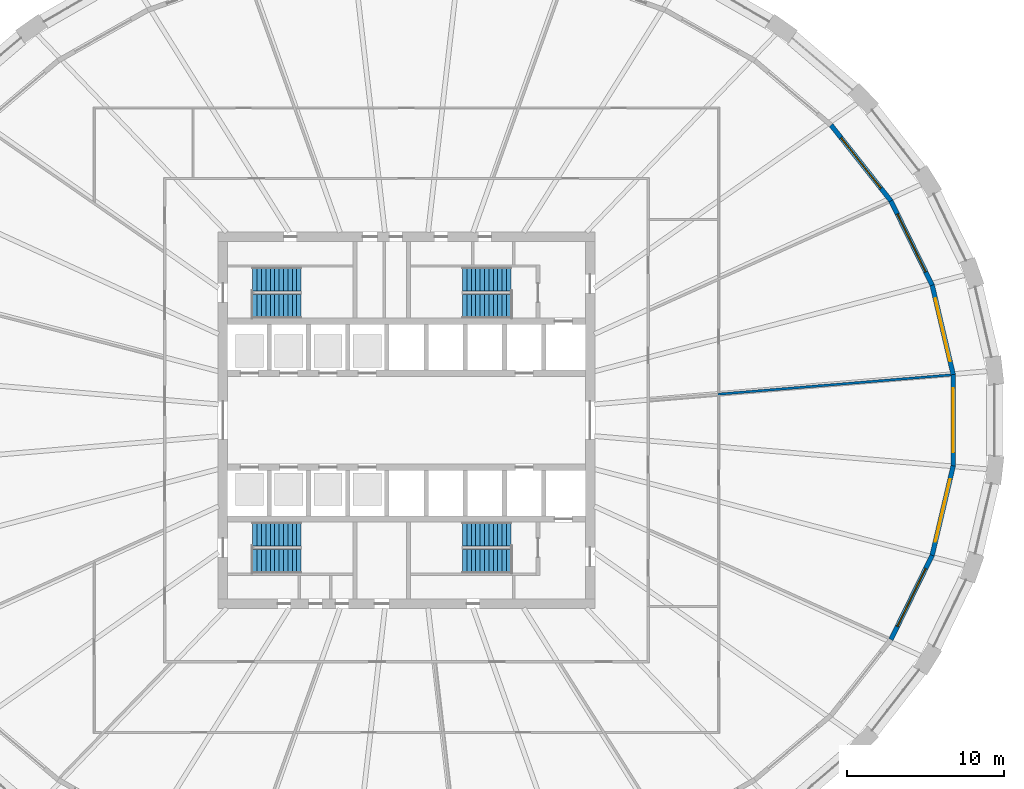
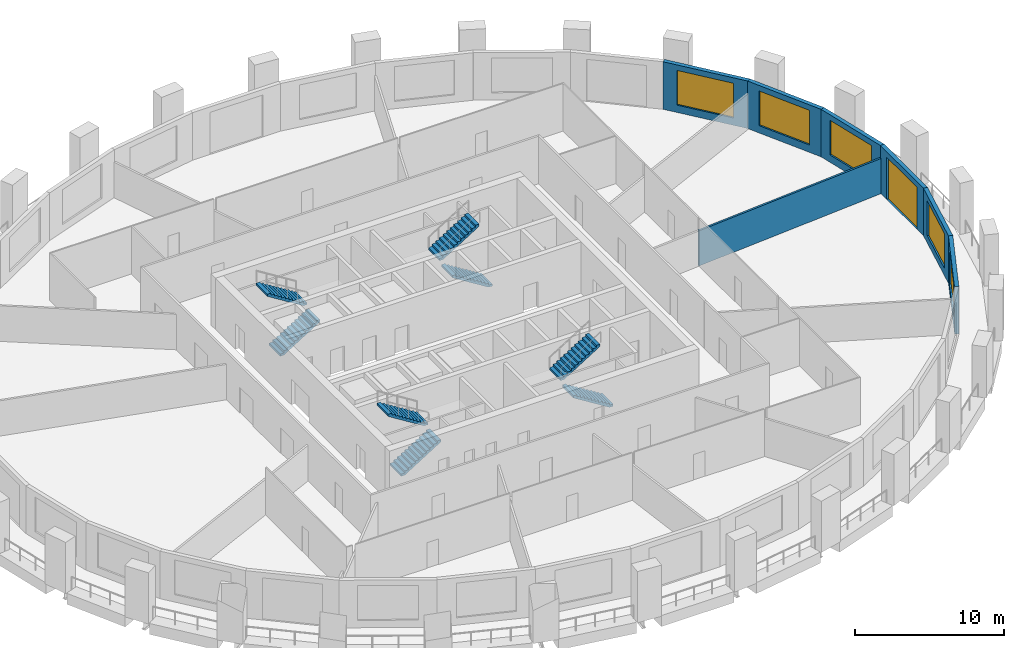
# One storey, part 8 of 11: 8 stair flights, 7 walls, 5 windows, 1 door, 6 openings, 4 elements without a shape of their own.
"""IFC4 building model written with IfcOpenShell, lengths in metres."""

from ifc_helpers import new_model, si_unit, direction, frame, frame_2d, origin, place, context, subcontext, project, spatial, polyline, rectangle, outline, extrude, material, layer, layer_set, type_object, element, fill, aggregate, save


model = new_model("IFC4")

# Units and contexts
model_context = context("Model", 3, precision=1e-05, world=origin(), true_north=direction((0.0, 1.0)))
body_context = subcontext(model_context, "Body", "Model", "MODEL_VIEW")
ifc_project = project(units=[si_unit("LENGTHUNIT", "METRE"), si_unit("AREAUNIT", "SQUARE_METRE"), si_unit("VOLUMEUNIT", "CUBIC_METRE"), si_unit("PLANEANGLEUNIT", "RADIAN"), si_unit("MASSUNIT", "GRAM", prefix="KILO")], contexts=[model_context])

# Site, building, storey
site_placement = place(None, origin())
site = spatial("IfcSite", under=ifc_project, at=site_placement, CompositionType="ELEMENT")
building_placement = place(site_placement, origin())
building = spatial("IfcBuilding", under=site, at=building_placement, Name="Halqa Exchange Tower", CompositionType="ELEMENT")
storey_placement = place(building_placement, frame((0.0, 0.0, 40.300048828125)))
storey = spatial("IfcBuildingStorey", under=building, at=storey_placement, Name="L08", CompositionType="ELEMENT", Elevation=40.300048828125)

# Wall
ifc_material_1 = material(Name="Fire-rated gypsum board")
ifc_layer_1 = layer(ifc_material_1, 0.14990234375)
ifc_layer_set_1 = layer_set([ifc_layer_1], Name="Fire-rated gypsum board")
wall_type_1 = type_object("IfcWallType", Name="Fire partition EI 60 150", PredefinedType="PARTITIONING", material=ifc_layer_set_1)
wall_1_placement = place(storey_placement, frame((19.85009765625, 1.656005859375, 0.0), z_axis=(0.0, 0.0, 1.0), x_axis=(0.996587936268, 0.082537780956, 0.0)))
element("IfcWall", 1, at=wall_1_placement, inside=storey, type_object=wall_type_1, Name="L08-PWL-036", PredefinedType="PARTITIONING", context=body_context, shape_type="SweptSolid", body=[
    extrude(outline(polyline([(14.88427734375, -0.074951171875), (14.88427734375, 0.0498046875), (14.880615234375, 0.074951171875), (13.0205078125, 0.074951171875), (11.160400390625, 0.074951171875), (9.30029296875, 0.074951171875), (7.440185546875, 0.074951171875), (5.580078125, 0.074951171875), (3.72021484375, 0.074951171875), (1.860107421875, 0.074951171875), (0.0, 0.074951171875), (0.0, -0.067626953125), (0.087158203125, -0.074951171875), (1.936767578125, -0.074951171875), (3.786376953125, -0.074951171875), (5.635986328125, -0.074951171875), (7.485595703125, -0.074951171875), (9.33544921875, -0.074951171875), (11.18505859375, -0.074951171875), (13.03466796875, -0.074951171875), (14.88427734375, -0.074951171875)])), origin(), (0.0, 0.0, 1.0), 2.891845703125),
])

# Wall, opening, window
ifc_material_2 = material(Name="Limestone cladding", Category="masonry")
ifc_layer_2 = layer(ifc_material_2, 0.0400390625)
ifc_material_3 = material(Name="Ventilated cavity")
ifc_layer_3 = layer(ifc_material_3, 0.030029296875, ventilated=True)
ifc_material_4 = material(Name="Mineral wool insulation")
ifc_layer_4 = layer(ifc_material_4, 0.10009765625)
ifc_material_5 = material(Name="Concrete C30/37", Category="concrete")
ifc_layer_5 = layer(ifc_material_5, 0.10009765625)
ifc_material_6 = material(Name="Internal plaster")
ifc_layer_6 = layer(ifc_material_6, 0.030029296875)
ifc_layer_set_2 = layer_set([ifc_layer_2, ifc_layer_3, ifc_layer_4, ifc_layer_5, ifc_layer_6], Name="Stone-faced insulated wall 300")
wall_type_2 = type_object("IfcWallType", Name="Stone-faced insulated wall 300", PredefinedType="STANDARD", material=ifc_layer_set_2)
wall_2_placement = place(storey_placement, frame((34.840087890625, 2.90673828125, 0.0), z_axis=(0.0, 0.0, 1.0), x_axis=(-0.228976600496, 0.97343192696, 0.0)))
wall_2 = element("IfcWall", 2, at=wall_2_placement, inside=storey, type_object=wall_type_2, Name="Glass-line wall 1", PredefinedType="STANDARD", context=body_context, shape_type="SweptSolid", body=[
    extrude(outline(polyline([(-0.017333984375, -0.14990234375), (5.87353515625, -0.14990234375), (5.83984375, 0.14990234375), (0.017333984375, 0.14990234375), (-0.017333984375, -0.14990234375)])), origin(), (0.0, 0.0, 1.0), 3.89990234375),
])
opening_1_placement = place(wall_2_placement, frame((0.87841796875, 0.0, 0.60009765625)))
opening_1 = element("IfcOpeningElement", 3, at=opening_1_placement, cuts=wall_2, Name="Opening W-F1-01", PredefinedType="OPENING", context=body_context, shape_type="SweptSolid", body=[
    extrude(rectangle(XDim=4.10009765625, YDim=2.85009765625, at=frame_2d((2.050048828125, 1.425048828125))), frame((0.0, 0.162109375, 0.0), z_axis=(0.0, -1.0, 0.0), x_axis=(1.0, 0.0, 0.0)), (0.0, 0.0, 1.0), 0.323974609375),
])
ifc_material_7 = material(Name="Clear low-emissivity glass in aluminium frame", Category="aluminium")
window_type = type_object("IfcWindowType", Name="Fixed clear glazed window 4100 x 2850", PartitioningType="TRIPLE_PANEL_VERTICAL", PredefinedType="WINDOW", material=ifc_material_7)
window_1_placement = place(opening_1_placement, origin())
window_1 = element("IfcWindow", 4, at=window_1_placement, inside=storey, type_object=window_type, Name="Window 1", OverallHeight=2.85009765625, OverallWidth=4.10009765625, PartitioningType="TRIPLE_PANEL_VERTICAL", PredefinedType="WINDOW", context=body_context, shape_type="SweptSolid", body=[
    extrude(rectangle(XDim=4.10009765625, YDim=2.85009765625, at=frame_2d((2.050048828125, 1.425048828125))), frame((0.0, 0.030029296875, 0.0), z_axis=(0.0, -1.0, 0.0), x_axis=(1.0, 0.0, 0.0)), (0.0, 0.0, 1.0), 0.06005859375),
])
fill(opening_1, window_1)

wall_3_placement = place(storey_placement, frame((33.4990234375, 8.60791015625, 0.0), z_axis=(0.0, 0.0, 1.0), x_axis=(-0.439896354052, 0.898048549741, 0.0)))
wall_3 = element("IfcWall", 5, at=wall_3_placement, inside=storey, type_object=wall_type_2, Name="Glass-line wall 2", PredefinedType="STANDARD", context=body_context, shape_type="SweptSolid", body=[
    extrude(outline(polyline([(-0.016845703125, -0.14990234375), (5.993896484375, -0.14990234375), (5.961669921875, 0.14990234375), (0.016845703125, 0.14990234375), (-0.016845703125, -0.14990234375)])), origin(), (0.0, 0.0, 1.0), 3.89990234375),
])
opening_2_placement = place(wall_3_placement, frame((0.93896484375, 0.0, 0.60009765625)))
opening_2 = element("IfcOpeningElement", 6, at=opening_2_placement, cuts=wall_3, Name="Opening W-F1-02", PredefinedType="OPENING", context=body_context, shape_type="SweptSolid", body=[
    extrude(rectangle(XDim=4.10009765625, YDim=2.85009765625, at=frame_2d((2.050048828125, 1.425048828125))), frame((0.0, 0.162109375, 0.0), z_axis=(0.0, -1.0, 0.0), x_axis=(1.0, 0.0, 0.0)), (0.0, 0.0, 1.0), 0.323974609375),
])
window_2_placement = place(opening_2_placement, origin())
window_2 = element("IfcWindow", 7, at=window_2_placement, inside=storey, type_object=window_type, Name="Window 1", OverallHeight=2.85009765625, OverallWidth=4.10009765625, PartitioningType="TRIPLE_PANEL_VERTICAL", PredefinedType="WINDOW", context=body_context, shape_type="SweptSolid", body=[
    extrude(rectangle(XDim=4.10009765625, YDim=2.85009765625, at=frame_2d((2.050048828125, 1.425048828125))), frame((0.0, 0.030029296875, 0.0), z_axis=(0.0, -1.0, 0.0), x_axis=(1.0, 0.0, 0.0)), (0.0, 0.0, 1.0), 0.06005859375),
])
fill(opening_2, window_2)

wall_4_placement = place(storey_placement, frame((30.869384765625, 13.976318359375, 0.0), z_axis=(0.0, 0.0, 1.0), x_axis=(-0.61992334328, 0.784662378642, 0.0)))
wall_4 = element("IfcWall", 8, at=wall_4_placement, inside=storey, type_object=wall_type_2, Name="Glass-line wall 3", PredefinedType="STANDARD", context=body_context, shape_type="SweptSolid", body=[
    extrude(outline(polyline([(-0.01611328125, -0.14990234375), (6.169921875, -0.14990234375), (6.1396484375, 0.14990234375), (0.01611328125, 0.14990234375), (-0.01611328125, -0.14990234375)])), origin(), (0.0, 0.0, 1.0), 3.89990234375),
])
opening_3_placement = place(wall_4_placement, frame((1.02734375, 0.0, 0.60009765625)))
opening_3 = element("IfcOpeningElement", 9, at=opening_3_placement, cuts=wall_4, Name="Opening W-F1-03", PredefinedType="OPENING", context=body_context, shape_type="SweptSolid", body=[
    extrude(rectangle(XDim=4.10009765625, YDim=2.85009765625, at=frame_2d((2.050048828125, 1.425048828125))), frame((0.0, 0.162109375, 0.0), z_axis=(0.0, -1.0, 0.0), x_axis=(1.0, 0.0, 0.0)), (0.0, 0.0, 1.0), 0.323974609375),
])
window_3_placement = place(opening_3_placement, origin())
window_3 = element("IfcWindow", 10, at=window_3_placement, inside=storey, type_object=window_type, Name="Window 1", OverallHeight=2.85009765625, OverallWidth=4.10009765625, PartitioningType="TRIPLE_PANEL_VERTICAL", PredefinedType="WINDOW", context=body_context, shape_type="SweptSolid", body=[
    extrude(rectangle(XDim=4.10009765625, YDim=2.85009765625, at=frame_2d((2.050048828125, 1.425048828125))), frame((0.0, 0.030029296875, 0.0), z_axis=(0.0, -1.0, 0.0), x_axis=(1.0, 0.0, 0.0)), (0.0, 0.0, 1.0), 0.06005859375),
])
fill(opening_3, window_3)

wall_5_placement = place(storey_placement, frame((30.869384765625, -13.976318359375, 0.0), z_axis=(0.0, 0.0, 1.0), x_axis=(0.439896354052, 0.898048549741, 0.0)))
wall_5 = element("IfcWall", 11, at=wall_5_placement, inside=storey, type_object=wall_type_2, Name="Glass-line wall 30", PredefinedType="STANDARD", context=body_context, shape_type="SweptSolid", body=[
    extrude(outline(polyline([(-0.01611328125, -0.14990234375), (5.99462890625, -0.14990234375), (5.9609375, 0.14990234375), (0.01611328125, 0.14990234375), (-0.01611328125, -0.14990234375)])), origin(), (0.0, 0.0, 1.0), 3.89990234375),
])
opening_4_placement = place(wall_5_placement, frame((0.93896484375, 0.0, 0.60009765625)))
opening_4 = element("IfcOpeningElement", 12, at=opening_4_placement, cuts=wall_5, Name="Opening W-F1-30", PredefinedType="OPENING", context=body_context, shape_type="SweptSolid", body=[
    extrude(rectangle(XDim=4.10009765625, YDim=2.85009765625, at=frame_2d((2.050048828125, 1.425048828125))), frame((0.0, 0.162109375, 0.0), z_axis=(0.0, -1.0, 0.0), x_axis=(1.0, 0.0, 0.0)), (0.0, 0.0, 1.0), 0.323974609375),
])
window_4_placement = place(opening_4_placement, origin())
window_4 = element("IfcWindow", 13, at=window_4_placement, inside=storey, type_object=window_type, Name="Window 1", OverallHeight=2.85009765625, OverallWidth=4.10009765625, PartitioningType="TRIPLE_PANEL_VERTICAL", PredefinedType="WINDOW", context=body_context, shape_type="SweptSolid", body=[
    extrude(rectangle(XDim=4.10009765625, YDim=2.85009765625, at=frame_2d((2.050048828125, 1.425048828125))), frame((0.0, 0.030029296875, 0.0), z_axis=(0.0, -1.0, 0.0), x_axis=(1.0, 0.0, 0.0)), (0.0, 0.0, 1.0), 0.06005859375),
])
fill(opening_4, window_4)

wall_6_placement = place(storey_placement, frame((33.4990234375, -8.60791015625, 0.0), z_axis=(0.0, 0.0, 1.0), x_axis=(0.228976600496, 0.97343192696, 0.0)))
wall_6 = element("IfcWall", 14, at=wall_6_placement, inside=storey, type_object=wall_type_2, Name="Glass-line wall 31", PredefinedType="STANDARD", context=body_context, shape_type="SweptSolid", body=[
    extrude(outline(polyline([(-0.016845703125, -0.14990234375), (5.8740234375, -0.14990234375), (5.83935546875, 0.14990234375), (0.016845703125, 0.14990234375), (-0.016845703125, -0.14990234375)])), origin(), (0.0, 0.0, 1.0), 3.89990234375),
])
opening_5_placement = place(wall_6_placement, frame((0.87841796875, 0.0, 0.60009765625)))
opening_5 = element("IfcOpeningElement", 15, at=opening_5_placement, cuts=wall_6, Name="Opening W-F1-31", PredefinedType="OPENING", context=body_context, shape_type="SweptSolid", body=[
    extrude(rectangle(XDim=4.10009765625, YDim=2.85009765625, at=frame_2d((2.050048828125, 1.425048828125))), frame((0.0, 0.162109375, 0.0), z_axis=(0.0, -1.0, 0.0), x_axis=(1.0, 0.0, 0.0)), (0.0, 0.0, 1.0), 0.323974609375),
])
window_5_placement = place(opening_5_placement, origin())
window_5 = element("IfcWindow", 16, at=window_5_placement, inside=storey, type_object=window_type, Name="Window 1", OverallHeight=2.85009765625, OverallWidth=4.10009765625, PartitioningType="TRIPLE_PANEL_VERTICAL", PredefinedType="WINDOW", context=body_context, shape_type="SweptSolid", body=[
    extrude(rectangle(XDim=4.10009765625, YDim=2.85009765625, at=frame_2d((2.050048828125, 1.425048828125))), frame((0.0, 0.030029296875, 0.0), z_axis=(0.0, -1.0, 0.0), x_axis=(1.0, 0.0, 0.0)), (0.0, 0.0, 1.0), 0.06005859375),
])
fill(opening_5, window_5)

# Wall, opening, door
wall_7_placement = place(storey_placement, frame((34.840087890625, -2.90673828125, 0.0), z_axis=(0.0, 0.0, 1.0), x_axis=(0.0, 1.0, 0.0)))
wall_7 = element("IfcWall", 17, at=wall_7_placement, inside=storey, type_object=wall_type_2, Name="Glass-line wall 32", PredefinedType="STANDARD", context=body_context, shape_type="SweptSolid", body=[
    extrude(outline(polyline([(-0.017333984375, -0.14990234375), (5.830810546875, -0.14990234375), (5.796142578125, 0.14990234375), (0.017333984375, 0.14990234375), (-0.017333984375, -0.14990234375)])), origin(), (0.0, 0.0, 1.0), 3.89990234375),
])
opening_6_placement = place(wall_7_placement, frame((0.856689453125, 0.0, 0.0)))
opening_6 = element("IfcOpeningElement", 18, at=opening_6_placement, cuts=wall_7, Name="Opening LG-F1-08", PredefinedType="OPENING", context=body_context, shape_type="SweptSolid", body=[
    extrude(rectangle(XDim=4.10009765625, YDim=3.449951171875, at=frame_2d((2.050048828125, 1.72509765625))), frame((0.0, 0.162109375, 0.0), z_axis=(0.0, -1.0, 0.0), x_axis=(1.0, 0.0, 0.0)), (0.0, 0.0, 1.0), 0.323974609375),
])
door_type = type_object("IfcDoorType", Name="Glazed sliding loggia door 4100 x 3450", OperationType="DOUBLE_DOOR_SLIDING", PredefinedType="DOOR", material=ifc_material_7)
door_placement = place(opening_6_placement, origin())
door = element("IfcDoor", 19, at=door_placement, inside=storey, type_object=door_type, Name="Loggia door 8", OperationType="DOUBLE_DOOR_SLIDING", OverallHeight=3.449951171875, OverallWidth=4.10009765625, PredefinedType="DOOR", context=body_context, shape_type="SweptSolid", body=[
    extrude(rectangle(XDim=4.10009765625, YDim=3.449951171875, at=frame_2d((2.050048828125, 1.72509765625))), frame((0.0, 0.02490234375, 0.0), z_axis=(0.0, -1.0, 0.0), x_axis=(1.0, 0.0, 0.0)), (0.0, 0.0, 1.0), 0.050048828125),
])
fill(opening_6, door)

# Stair, stair flights
stair_type = type_object("IfcStairType", Name="Exit stair 1500 wide", PredefinedType="HALF_TURN_STAIR", material=ifc_material_5)
stair_1_placement = place(storey_placement, origin())
stair_1 = element("IfcStair", 20, at=stair_1_placement, inside=storey, type_object=stair_type, Name="Exit stair ST1", PredefinedType="HALF_TURN_STAIR")
stair_flight_type = type_object("IfcStairFlightType", Name="Stair flight 1500 wide", PredefinedType="STRAIGHT", material=ifc_material_5)
stair_flight_1_placement = place(storey_placement, frame((-9.800048828125, 7.25, 0.0), z_axis=(0.0, 0.0, 1.0), x_axis=(1.0, 0.0, 0.0)))
stair_flight_1 = element("IfcStairFlight", 21, at=stair_flight_1_placement, type_object=stair_flight_type, Name="ST1 flight 1", NumberOfRisers=12, NumberOfTreads=11, PredefinedType="STRAIGHT", RiserHeight=0.175, TreadLength=0.28, context=body_context, shape_type="SweptSolid", body=[
    extrude(outline(polyline([(0.0, 0.0), (0.0, 0.175048828125), (0.280029296875, 0.175048828125), (0.280029296875, 0.35009765625), (0.56005859375, 0.35009765625), (0.56005859375, 0.52490234375), (0.840087890625, 0.52490234375), (0.840087890625, 0.699951171875), (1.1201171875, 0.699951171875), (1.1201171875, 0.875), (1.39990234375, 0.875), (1.39990234375, 1.050048828125), (1.679931640625, 1.050048828125), (1.679931640625, 1.22509765625), (1.9599609375, 1.22509765625), (1.9599609375, 1.39990234375), (2.239990234375, 1.39990234375), (2.239990234375, 1.574951171875), (2.52001953125, 1.574951171875), (2.52001953125, 1.75), (2.800048828125, 1.75), (2.800048828125, 1.925048828125), (3.080078125, 1.925048828125), (3.080078125, 2.10009765625), (3.080078125, 1.748291015625), (0.28271484375, 0.0), (0.0, 0.0)])), frame((0.0, 0.75, 0.0), z_axis=(0.0, -1.0, 0.0), x_axis=(1.0, 0.0, 0.0)), (0.0, 0.0, 1.0), 1.5),
])
stair_flight_2_placement = place(storey_placement, frame((-6.719970703125, 9.0, 2.099853515625), z_axis=(0.0, 0.0, 1.0), x_axis=(-1.0, 0.0, 0.0)))
stair_flight_2 = element("IfcStairFlight", 22, at=stair_flight_2_placement, type_object=stair_flight_type, Name="ST1 flight 2", NumberOfRisers=12, NumberOfTreads=11, PredefinedType="STRAIGHT", RiserHeight=0.175, TreadLength=0.28, context=body_context, shape_type="SweptSolid", body=[
    extrude(outline(polyline([(0.0, 0.0), (0.0, 0.175048828125), (0.280029296875, 0.175048828125), (0.280029296875, 0.35009765625), (0.56005859375, 0.35009765625), (0.56005859375, 0.52490234375), (0.840087890625, 0.52490234375), (0.840087890625, 0.699951171875), (1.1201171875, 0.699951171875), (1.1201171875, 0.875), (1.39990234375, 0.875), (1.39990234375, 1.050048828125), (1.679931640625, 1.050048828125), (1.679931640625, 1.22509765625), (1.9599609375, 1.22509765625), (1.9599609375, 1.39990234375), (2.239990234375, 1.39990234375), (2.239990234375, 1.574951171875), (2.52001953125, 1.574951171875), (2.52001953125, 1.75), (2.800048828125, 1.75), (2.800048828125, 1.925048828125), (3.080078125, 1.925048828125), (3.080078125, 2.10009765625), (3.080078125, 1.748291015625), (0.28271484375, 0.0), (0.0, 0.0)])), frame((0.0, 0.75, 0.0), z_axis=(0.0, -1.0, 0.0), x_axis=(1.0, 0.0, 0.0)), (0.0, 0.0, 1.0), 1.5),
])
aggregate(stair_1, [stair_flight_1, stair_flight_2])

stair_2_placement = place(storey_placement, origin())
stair_2 = element("IfcStair", 23, at=stair_2_placement, inside=storey, type_object=stair_type, Name="Exit stair ST2", PredefinedType="HALF_TURN_STAIR")
stair_flight_3_placement = place(storey_placement, frame((6.64990234375, 7.25, 0.0), z_axis=(0.0, 0.0, 1.0), x_axis=(-1.0, 0.0, 0.0)))
stair_flight_3 = element("IfcStairFlight", 24, at=stair_flight_3_placement, type_object=stair_flight_type, Name="ST2 flight 1", NumberOfRisers=12, NumberOfTreads=11, PredefinedType="STRAIGHT", RiserHeight=0.175, TreadLength=0.28, context=body_context, shape_type="SweptSolid", body=[
    extrude(outline(polyline([(0.0, 0.0), (0.0, 0.175048828125), (0.280029296875, 0.175048828125), (0.280029296875, 0.35009765625), (0.56005859375, 0.35009765625), (0.56005859375, 0.52490234375), (0.840087890625, 0.52490234375), (0.840087890625, 0.699951171875), (1.1201171875, 0.699951171875), (1.1201171875, 0.875), (1.39990234375, 0.875), (1.39990234375, 1.050048828125), (1.679931640625, 1.050048828125), (1.679931640625, 1.22509765625), (1.9599609375, 1.22509765625), (1.9599609375, 1.39990234375), (2.239990234375, 1.39990234375), (2.239990234375, 1.574951171875), (2.52001953125, 1.574951171875), (2.52001953125, 1.75), (2.800048828125, 1.75), (2.800048828125, 1.925048828125), (3.080078125, 1.925048828125), (3.080078125, 2.10009765625), (3.080078125, 1.748291015625), (0.28271484375, 0.0), (0.0, 0.0)])), frame((0.0, 0.75, 0.0), z_axis=(0.0, -1.0, 0.0), x_axis=(1.0, 0.0, 0.0)), (0.0, 0.0, 1.0), 1.5),
])
stair_flight_4_placement = place(storey_placement, frame((3.570068359375, 9.0, 2.099853515625), z_axis=(0.0, 0.0, 1.0), x_axis=(1.0, 0.0, 0.0)))
stair_flight_4 = element("IfcStairFlight", 25, at=stair_flight_4_placement, type_object=stair_flight_type, Name="ST2 flight 2", NumberOfRisers=12, NumberOfTreads=11, PredefinedType="STRAIGHT", RiserHeight=0.175, TreadLength=0.28, context=body_context, shape_type="SweptSolid", body=[
    extrude(outline(polyline([(0.0, 0.0), (0.0, 0.175048828125), (0.280029296875, 0.175048828125), (0.280029296875, 0.35009765625), (0.56005859375, 0.35009765625), (0.56005859375, 0.52490234375), (0.840087890625, 0.52490234375), (0.840087890625, 0.699951171875), (1.1201171875, 0.699951171875), (1.1201171875, 0.875), (1.39990234375, 0.875), (1.39990234375, 1.050048828125), (1.679931640625, 1.050048828125), (1.679931640625, 1.22509765625), (1.9599609375, 1.22509765625), (1.9599609375, 1.39990234375), (2.239990234375, 1.39990234375), (2.239990234375, 1.574951171875), (2.52001953125, 1.574951171875), (2.52001953125, 1.75), (2.800048828125, 1.75), (2.800048828125, 1.925048828125), (3.080078125, 1.925048828125), (3.080078125, 2.10009765625), (3.080078125, 1.748291015625), (0.28271484375, 0.0), (0.0, 0.0)])), frame((0.0, 0.75, 0.0), z_axis=(0.0, -1.0, 0.0), x_axis=(1.0, 0.0, 0.0)), (0.0, 0.0, 1.0), 1.5),
])
aggregate(stair_2, [stair_flight_3, stair_flight_4])

stair_3_placement = place(storey_placement, origin())
stair_3 = element("IfcStair", 26, at=stair_3_placement, inside=storey, type_object=stair_type, Name="Exit stair ST3", PredefinedType="HALF_TURN_STAIR")
stair_flight_5_placement = place(storey_placement, frame((-9.800048828125, -9.0, 0.0), z_axis=(0.0, 0.0, 1.0), x_axis=(1.0, 0.0, 0.0)))
stair_flight_5 = element("IfcStairFlight", 27, at=stair_flight_5_placement, type_object=stair_flight_type, Name="ST3 flight 1", NumberOfRisers=12, NumberOfTreads=11, PredefinedType="STRAIGHT", RiserHeight=0.175, TreadLength=0.28, context=body_context, shape_type="SweptSolid", body=[
    extrude(outline(polyline([(0.0, 0.0), (0.0, 0.175048828125), (0.280029296875, 0.175048828125), (0.280029296875, 0.35009765625), (0.56005859375, 0.35009765625), (0.56005859375, 0.52490234375), (0.840087890625, 0.52490234375), (0.840087890625, 0.699951171875), (1.1201171875, 0.699951171875), (1.1201171875, 0.875), (1.39990234375, 0.875), (1.39990234375, 1.050048828125), (1.679931640625, 1.050048828125), (1.679931640625, 1.22509765625), (1.9599609375, 1.22509765625), (1.9599609375, 1.39990234375), (2.239990234375, 1.39990234375), (2.239990234375, 1.574951171875), (2.52001953125, 1.574951171875), (2.52001953125, 1.75), (2.800048828125, 1.75), (2.800048828125, 1.925048828125), (3.080078125, 1.925048828125), (3.080078125, 2.10009765625), (3.080078125, 1.748291015625), (0.28271484375, 0.0), (0.0, 0.0)])), frame((0.0, 0.75, 0.0), z_axis=(0.0, -1.0, 0.0), x_axis=(1.0, 0.0, 0.0)), (0.0, 0.0, 1.0), 1.5),
])
stair_flight_6_placement = place(storey_placement, frame((-6.719970703125, -7.25, 2.099853515625), z_axis=(0.0, 0.0, 1.0), x_axis=(-1.0, 0.0, 0.0)))
stair_flight_6 = element("IfcStairFlight", 28, at=stair_flight_6_placement, type_object=stair_flight_type, Name="ST3 flight 2", NumberOfRisers=12, NumberOfTreads=11, PredefinedType="STRAIGHT", RiserHeight=0.175, TreadLength=0.28, context=body_context, shape_type="SweptSolid", body=[
    extrude(outline(polyline([(0.0, 0.0), (0.0, 0.175048828125), (0.280029296875, 0.175048828125), (0.280029296875, 0.35009765625), (0.56005859375, 0.35009765625), (0.56005859375, 0.52490234375), (0.840087890625, 0.52490234375), (0.840087890625, 0.699951171875), (1.1201171875, 0.699951171875), (1.1201171875, 0.875), (1.39990234375, 0.875), (1.39990234375, 1.050048828125), (1.679931640625, 1.050048828125), (1.679931640625, 1.22509765625), (1.9599609375, 1.22509765625), (1.9599609375, 1.39990234375), (2.239990234375, 1.39990234375), (2.239990234375, 1.574951171875), (2.52001953125, 1.574951171875), (2.52001953125, 1.75), (2.800048828125, 1.75), (2.800048828125, 1.925048828125), (3.080078125, 1.925048828125), (3.080078125, 2.10009765625), (3.080078125, 1.748291015625), (0.28271484375, 0.0), (0.0, 0.0)])), frame((0.0, 0.75, 0.0), z_axis=(0.0, -1.0, 0.0), x_axis=(1.0, 0.0, 0.0)), (0.0, 0.0, 1.0), 1.5),
])
aggregate(stair_3, [stair_flight_5, stair_flight_6])

stair_4_placement = place(storey_placement, origin())
stair_4 = element("IfcStair", 29, at=stair_4_placement, inside=storey, type_object=stair_type, Name="Exit stair ST4", PredefinedType="HALF_TURN_STAIR")
stair_flight_7_placement = place(storey_placement, frame((6.64990234375, -9.0, 0.0), z_axis=(0.0, 0.0, 1.0), x_axis=(-1.0, 0.0, 0.0)))
stair_flight_7 = element("IfcStairFlight", 30, at=stair_flight_7_placement, type_object=stair_flight_type, Name="ST4 flight 1", NumberOfRisers=12, NumberOfTreads=11, PredefinedType="STRAIGHT", RiserHeight=0.175, TreadLength=0.28, context=body_context, shape_type="SweptSolid", body=[
    extrude(outline(polyline([(0.0, 0.0), (0.0, 0.175048828125), (0.280029296875, 0.175048828125), (0.280029296875, 0.35009765625), (0.56005859375, 0.35009765625), (0.56005859375, 0.52490234375), (0.840087890625, 0.52490234375), (0.840087890625, 0.699951171875), (1.1201171875, 0.699951171875), (1.1201171875, 0.875), (1.39990234375, 0.875), (1.39990234375, 1.050048828125), (1.679931640625, 1.050048828125), (1.679931640625, 1.22509765625), (1.9599609375, 1.22509765625), (1.9599609375, 1.39990234375), (2.239990234375, 1.39990234375), (2.239990234375, 1.574951171875), (2.52001953125, 1.574951171875), (2.52001953125, 1.75), (2.800048828125, 1.75), (2.800048828125, 1.925048828125), (3.080078125, 1.925048828125), (3.080078125, 2.10009765625), (3.080078125, 1.748291015625), (0.28271484375, 0.0), (0.0, 0.0)])), frame((0.0, 0.75, 0.0), z_axis=(0.0, -1.0, 0.0), x_axis=(1.0, 0.0, 0.0)), (0.0, 0.0, 1.0), 1.5),
])
stair_flight_8_placement = place(storey_placement, frame((3.570068359375, -7.25, 2.099853515625), z_axis=(0.0, 0.0, 1.0), x_axis=(1.0, 0.0, 0.0)))
stair_flight_8 = element("IfcStairFlight", 31, at=stair_flight_8_placement, type_object=stair_flight_type, Name="ST4 flight 2", NumberOfRisers=12, NumberOfTreads=11, PredefinedType="STRAIGHT", RiserHeight=0.175, TreadLength=0.28, context=body_context, shape_type="SweptSolid", body=[
    extrude(outline(polyline([(0.0, 0.0), (0.0, 0.175048828125), (0.280029296875, 0.175048828125), (0.280029296875, 0.35009765625), (0.56005859375, 0.35009765625), (0.56005859375, 0.52490234375), (0.840087890625, 0.52490234375), (0.840087890625, 0.699951171875), (1.1201171875, 0.699951171875), (1.1201171875, 0.875), (1.39990234375, 0.875), (1.39990234375, 1.050048828125), (1.679931640625, 1.050048828125), (1.679931640625, 1.22509765625), (1.9599609375, 1.22509765625), (1.9599609375, 1.39990234375), (2.239990234375, 1.39990234375), (2.239990234375, 1.574951171875), (2.52001953125, 1.574951171875), (2.52001953125, 1.75), (2.800048828125, 1.75), (2.800048828125, 1.925048828125), (3.080078125, 1.925048828125), (3.080078125, 2.10009765625), (3.080078125, 1.748291015625), (0.28271484375, 0.0), (0.0, 0.0)])), frame((0.0, 0.75, 0.0), z_axis=(0.0, -1.0, 0.0), x_axis=(1.0, 0.0, 0.0)), (0.0, 0.0, 1.0), 1.5),
])
aggregate(stair_4, [stair_flight_7, stair_flight_8])

save(model, "model.ifc")
